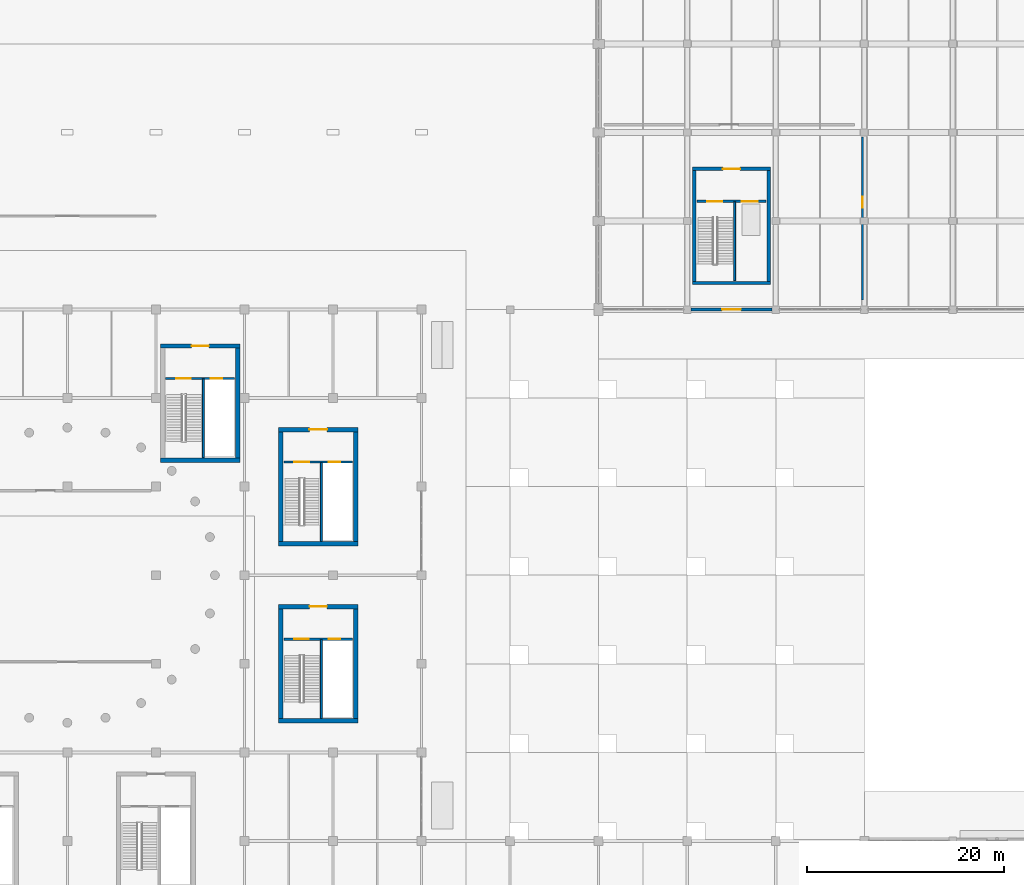
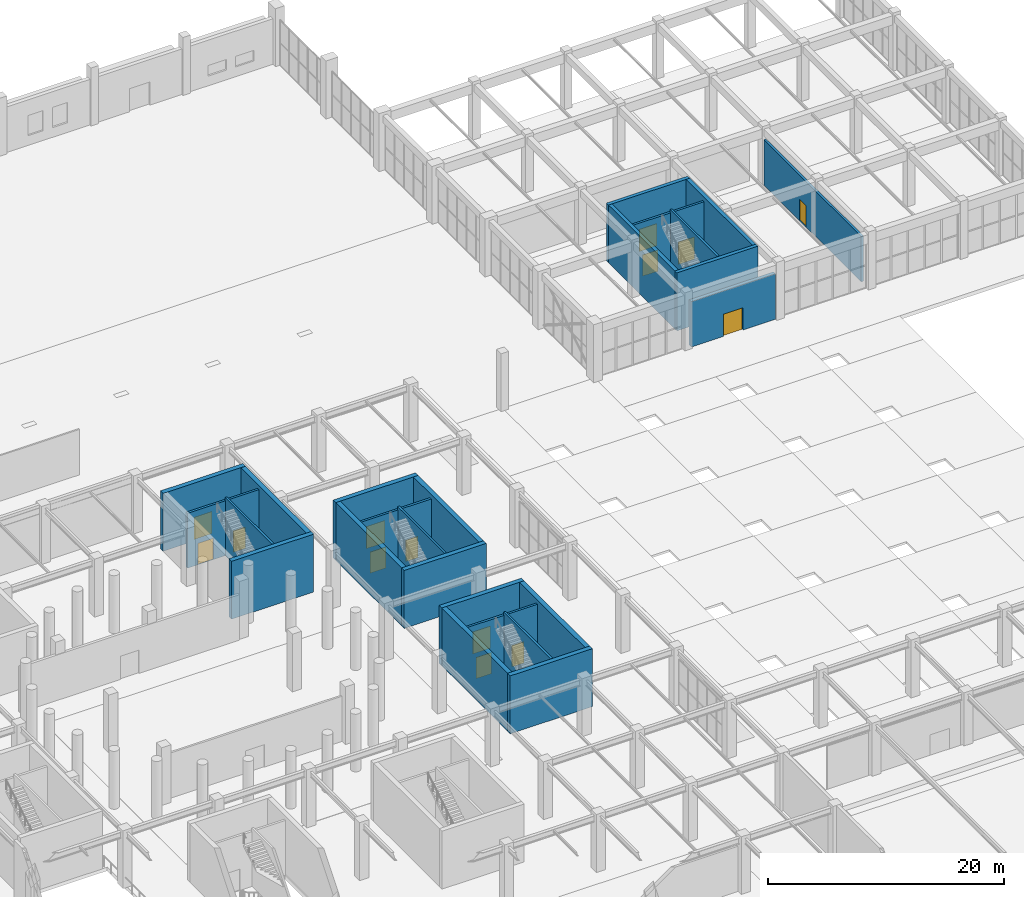
# One storey, part 66 of 91: 25 walls, 14 doors, 14 openings.
"""IFC4 building model written with IfcOpenShell, lengths in metres."""

from ifc_helpers import new_model, si_unit, direction, frame, frame_2d, origin, place, context, subcontext, project, spatial, rectangle, extrude, material, layer, layer_set, type_object, element, fill, save


model = new_model("IFC4")

# Units and contexts
model_context = context("Model", 3, precision=1e-05, world=origin(), true_north=direction((0.0, 1.0)))
body_context = subcontext(model_context, "Body", "Model", "MODEL_VIEW")
ifc_project = project(units=[si_unit("LENGTHUNIT", "METRE"), si_unit("AREAUNIT", "SQUARE_METRE"), si_unit("VOLUMEUNIT", "CUBIC_METRE"), si_unit("PLANEANGLEUNIT", "RADIAN"), si_unit("MASSUNIT", "GRAM", prefix="KILO")], contexts=[model_context])

# Site, building, storey
site_placement = place(None, origin())
site = spatial("IfcSite", under=ifc_project, at=site_placement, CompositionType="ELEMENT")
building_placement = place(site_placement, origin())
building = spatial("IfcBuilding", under=site, at=building_placement, Name="Dornveld Trade and Exhibition Forum", CompositionType="ELEMENT")
storey_placement = place(building_placement, origin())
storey = spatial("IfcBuildingStorey", under=building, at=storey_placement, Name="L00", CompositionType="ELEMENT", Elevation=0.0)

# Wall
ifc_material_1 = material(Name="Concrete C40/50", Category="concrete")
ifc_layer_1 = layer(ifc_material_1, 0.35009765625)
ifc_layer_set_1 = layer_set([ifc_layer_1], Name="Concrete C40/50")
wall_type_1 = type_object("IfcWallType", Name="WL-CORE-350", PredefinedType="SHEAR", material=ifc_layer_set_1)
wall_1_placement = place(storey_placement, frame((180.52490234375, 110.699951171875, 0.0), z_axis=(0.0, 0.0, 1.0), x_axis=(1.0, 0.0, 0.0)))
element("IfcWall", 1, at=wall_1_placement, inside=storey, type_object=wall_type_1, Name="CORE-12 L00 shear wall S", PredefinedType="SHEAR", context=body_context, shape_type="SweptSolid", body=[
    extrude(rectangle(XDim=7.9501953125, YDim=0.35009765625, at=frame_2d((3.97509765625, 0.0))), origin(), (0.0, 0.0, 1.0), 6.0),
])

# Wall, opening, door
wall_2_placement = place(storey_placement, frame((180.52490234375, 122.300048828125, 0.0), z_axis=(0.0, 0.0, 1.0), x_axis=(1.0, 0.0, 0.0)))
wall_2 = element("IfcWall", 2, at=wall_2_placement, inside=storey, type_object=wall_type_1, Name="CORE-12 L00 shear wall N", PredefinedType="SHEAR", context=body_context, shape_type="SweptSolid", body=[
    extrude(rectangle(XDim=7.9501953125, YDim=0.35009765625, at=frame_2d((3.97509765625, 0.0))), origin(), (0.0, 0.0, 1.0), 6.0),
])
opening_1_placement = place(wall_2_placement, frame((3.10009765625, 0.0, 0.0)))
opening_1 = element("IfcOpeningElement", 3, at=opening_1_placement, cuts=wall_2, Name="Opening CD-12-L00", PredefinedType="OPENING", context=body_context, shape_type="SweptSolid", body=[
    extrude(rectangle(XDim=1.75, YDim=2.300048828125, at=frame_2d((0.875, 1.14990234375))), frame((0.0, 0.18505859375, 0.0), z_axis=(0.0, -1.0, 0.0), x_axis=(1.0, 0.0, 0.0)), (0.0, 0.0, 1.0), 0.3701171875),
])
ifc_material_2 = material(Name="Steel fire-rated double door assembly", Category="steel")
door_type_1 = type_object("IfcDoorType", Name="DR-CORE-175x230", OperationType="NOTDEFINED", PredefinedType="DOOR", material=ifc_material_2)
door_1_placement = place(opening_1_placement, origin())
door_1 = element("IfcDoor", 4, at=door_1_placement, inside=storey, type_object=door_type_1, Name="CORE-12 L00 core lobby double fire door", OperationType="DOUBLE_DOOR_SINGLE_SWING", OverallHeight=2.300048828125, OverallWidth=1.75, PredefinedType="DOOR", context=body_context, shape_type="SweptSolid", body=[
    extrude(rectangle(XDim=1.75, YDim=2.300048828125, at=frame_2d((0.875, 1.14990234375))), frame((0.0, 0.02490234375, 0.0), z_axis=(0.0, -1.0, 0.0), x_axis=(1.0, 0.0, 0.0)), (0.0, 0.0, 1.0), 0.050048828125),
])
fill(opening_1, door_1)

# Walls
for number, where, z_axis, x_axis, name in (
    (5, (180.699951171875, 110.875, 0.0), (0.0, 0.0, 1.0), (0.0, 1.0, 0.0), "CORE-12 L00 shear wall W"),
    (6, (188.300048828125, 110.875, 0.0), (0.0, 0.0, 1.0), (0.0, 1.0, 0.0), "CORE-12 L00 shear wall E"),
):
    element("IfcWall", number, at=place(storey_placement, frame(where, z_axis=z_axis, x_axis=x_axis)), inside=storey, type_object=wall_type_1, Name=name, PredefinedType="SHEAR", context=body_context, shape_type="SweptSolid", body=[
        extrude(rectangle(XDim=11.25, YDim=0.35009765625, at=frame_2d((5.625, 0.0))), origin(), (0.0, 0.0, 1.0), 6.0),
    ])
ifc_material_3 = material(Name="Concrete C40/50", Category="concrete")
ifc_layer_2 = layer(ifc_material_3, 0.449951171875)
ifc_layer_set_2 = layer_set([ifc_layer_2], Name="Concrete C40/50")
wall_type_2 = type_object("IfcWallType", Name="WL-CORE-450", PredefinedType="SHEAR", material=ifc_layer_set_2)
wall_3_placement = place(storey_placement, frame((138.47509765625, 84.199951171875, 0.0), z_axis=(0.0, 0.0, 1.0), x_axis=(1.0, 0.0, 0.0)))
element("IfcWall", 7, at=wall_3_placement, inside=storey, type_object=wall_type_2, Name="CORE-01 L00 shear wall S", PredefinedType="SHEAR", context=body_context, shape_type="SweptSolid", body=[
    extrude(rectangle(XDim=8.0498046875, YDim=0.449951171875, at=frame_2d((4.02490234375, 0.0))), origin(), (0.0, 0.0, 1.0), 6.0),
])

# Wall, opening, door
wall_4_placement = place(storey_placement, frame((138.47509765625, 95.800048828125, 0.0), z_axis=(0.0, 0.0, 1.0), x_axis=(1.0, 0.0, 0.0)))
wall_4 = element("IfcWall", 8, at=wall_4_placement, inside=storey, type_object=wall_type_2, Name="CORE-01 L00 shear wall N", PredefinedType="SHEAR", context=body_context, shape_type="SweptSolid", body=[
    extrude(rectangle(XDim=8.0498046875, YDim=0.449951171875, at=frame_2d((4.02490234375, 0.0))), origin(), (0.0, 0.0, 1.0), 6.0),
])
opening_2_placement = place(wall_4_placement, frame((3.125, 0.0, 0.0)))
opening_2 = element("IfcOpeningElement", 9, at=opening_2_placement, cuts=wall_4, Name="Opening CD-01-L00", PredefinedType="OPENING", context=body_context, shape_type="SweptSolid", body=[
    extrude(rectangle(XDim=1.800048828125, YDim=2.300048828125, at=frame_2d((0.89990234375, 1.14990234375))), frame((0.0, 0.23486328125, 0.0), z_axis=(0.0, -1.0, 0.0), x_axis=(1.0, 0.0, 0.0)), (0.0, 0.0, 1.0), 0.469970703125),
])
ifc_material_4 = material(Name="Steel fire-rated double door assembly", Category="steel")
door_type_2 = type_object("IfcDoorType", Name="DR-CORE-180x230", OperationType="NOTDEFINED", PredefinedType="DOOR", material=ifc_material_4)
door_2_placement = place(opening_2_placement, origin())
door_2 = element("IfcDoor", 10, at=door_2_placement, inside=storey, type_object=door_type_2, Name="CORE-01 L00 core lobby double fire door", OperationType="DOUBLE_DOOR_SINGLE_SWING", OverallHeight=2.300048828125, OverallWidth=1.800048828125, PredefinedType="DOOR", context=body_context, shape_type="SweptSolid", body=[
    extrude(rectangle(XDim=1.800048828125, YDim=2.300048828125, at=frame_2d((0.89990234375, 1.14990234375))), frame((0.0, 0.02490234375, 0.0), z_axis=(0.0, -1.0, 0.0), x_axis=(1.0, 0.0, 0.0)), (0.0, 0.0, 1.0), 0.050048828125),
])
fill(opening_2, door_2)

# Walls
for number, where, z_axis, x_axis, name in (
    (11, (138.699951171875, 84.425048828125, 0.0), (0.0, 0.0, 1.0), (0.0, 1.0, 0.0), "CORE-01 L00 shear wall W"),
    (12, (146.300048828125, 84.425048828125, 0.0), (0.0, 0.0, 1.0), (0.0, 1.0, 0.0), "CORE-01 L00 shear wall E"),
):
    element("IfcWall", number, at=place(storey_placement, frame(where, z_axis=z_axis, x_axis=x_axis)), inside=storey, type_object=wall_type_2, Name=name, PredefinedType="SHEAR", context=body_context, shape_type="SweptSolid", body=[
        extrude(rectangle(XDim=11.14990234375, YDim=0.449951171875, at=frame_2d((5.574951171875, 0.0))), origin(), (0.0, 0.0, 1.0), 6.0),
    ])
wall_5_placement = place(storey_placement, frame((126.47509765625, 92.699951171875, 0.0), z_axis=(0.0, 0.0, 1.0), x_axis=(1.0, 0.0, 0.0)))
element("IfcWall", 13, at=wall_5_placement, inside=storey, type_object=wall_type_2, Name="CORE-02 L00 shear wall S", PredefinedType="SHEAR", context=body_context, shape_type="SweptSolid", body=[
    extrude(rectangle(XDim=8.0498046875, YDim=0.449951171875, at=frame_2d((4.02490234375, 0.0))), origin(), (0.0, 0.0, 1.0), 6.0),
])

# Wall, opening, door
wall_6_placement = place(storey_placement, frame((126.47509765625, 104.300048828125, 0.0), z_axis=(0.0, 0.0, 1.0), x_axis=(1.0, 0.0, 0.0)))
wall_6 = element("IfcWall", 14, at=wall_6_placement, inside=storey, type_object=wall_type_2, Name="CORE-02 L00 shear wall N", PredefinedType="SHEAR", context=body_context, shape_type="SweptSolid", body=[
    extrude(rectangle(XDim=8.0498046875, YDim=0.449951171875, at=frame_2d((4.02490234375, 0.0))), origin(), (0.0, 0.0, 1.0), 6.0),
])
opening_3_placement = place(wall_6_placement, frame((3.14990234375, 0.0, 0.0)))
opening_3 = element("IfcOpeningElement", 15, at=opening_3_placement, cuts=wall_6, Name="Opening CD-02-L00", PredefinedType="OPENING", context=body_context, shape_type="SweptSolid", body=[
    extrude(rectangle(XDim=1.75, YDim=2.300048828125, at=frame_2d((0.875, 1.14990234375))), frame((0.0, 0.23486328125, 0.0), z_axis=(0.0, -1.0, 0.0), x_axis=(1.0, 0.0, 0.0)), (0.0, 0.0, 1.0), 0.469970703125),
])
door_3_placement = place(opening_3_placement, origin())
door_3 = element("IfcDoor", 16, at=door_3_placement, inside=storey, type_object=door_type_1, Name="CORE-02 L00 core lobby double fire door", OperationType="DOUBLE_DOOR_SINGLE_SWING", OverallHeight=2.300048828125, OverallWidth=1.75, PredefinedType="DOOR", context=body_context, shape_type="SweptSolid", body=[
    extrude(rectangle(XDim=1.75, YDim=2.300048828125, at=frame_2d((0.875, 1.14990234375))), frame((0.0, 0.02490234375, 0.0), z_axis=(0.0, -1.0, 0.0), x_axis=(1.0, 0.0, 0.0)), (0.0, 0.0, 1.0), 0.050048828125),
])
fill(opening_3, door_3)

# Walls
wall_7_placement = place(storey_placement, frame((134.300048828125, 92.925048828125, 0.0), z_axis=(0.0, 0.0, 1.0), x_axis=(0.0, 1.0, 0.0)))
element("IfcWall", 17, at=wall_7_placement, inside=storey, type_object=wall_type_2, Name="CORE-02 L00 shear wall E", PredefinedType="SHEAR", context=body_context, shape_type="SweptSolid", body=[
    extrude(rectangle(XDim=11.14990234375, YDim=0.449951171875, at=frame_2d((5.574951171875, 0.0))), origin(), (0.0, 0.0, 1.0), 6.0),
])
wall_8_placement = place(storey_placement, frame((138.47509765625, 66.199951171875, 0.0), z_axis=(0.0, 0.0, 1.0), x_axis=(1.0, 0.0, 0.0)))
element("IfcWall", 18, at=wall_8_placement, inside=storey, type_object=wall_type_2, Name="CORE-08 L00 shear wall S", PredefinedType="SHEAR", context=body_context, shape_type="SweptSolid", body=[
    extrude(rectangle(XDim=8.0498046875, YDim=0.449951171875, at=frame_2d((4.02490234375, 0.0))), origin(), (0.0, 0.0, 1.0), 6.0),
])

# Wall, opening, door
wall_9_placement = place(storey_placement, frame((138.47509765625, 77.800048828125, 0.0), z_axis=(0.0, 0.0, 1.0), x_axis=(1.0, 0.0, 0.0)))
wall_9 = element("IfcWall", 19, at=wall_9_placement, inside=storey, type_object=wall_type_2, Name="CORE-08 L00 shear wall N", PredefinedType="SHEAR", context=body_context, shape_type="SweptSolid", body=[
    extrude(rectangle(XDim=8.0498046875, YDim=0.449951171875, at=frame_2d((4.02490234375, 0.0))), origin(), (0.0, 0.0, 1.0), 6.0),
])
opening_4_placement = place(wall_9_placement, frame((3.14990234375, 0.0, 0.0)))
opening_4 = element("IfcOpeningElement", 20, at=opening_4_placement, cuts=wall_9, Name="Opening CD-08-L00", PredefinedType="OPENING", context=body_context, shape_type="SweptSolid", body=[
    extrude(rectangle(XDim=1.75, YDim=2.300048828125, at=frame_2d((0.875, 1.14990234375))), frame((0.0, 0.23486328125, 0.0), z_axis=(0.0, -1.0, 0.0), x_axis=(1.0, 0.0, 0.0)), (0.0, 0.0, 1.0), 0.469970703125),
])
door_4_placement = place(opening_4_placement, origin())
door_4 = element("IfcDoor", 21, at=door_4_placement, inside=storey, type_object=door_type_1, Name="CORE-08 L00 core lobby double fire door", OperationType="DOUBLE_DOOR_SINGLE_SWING", OverallHeight=2.300048828125, OverallWidth=1.75, PredefinedType="DOOR", context=body_context, shape_type="SweptSolid", body=[
    extrude(rectangle(XDim=1.75, YDim=2.300048828125, at=frame_2d((0.875, 1.14990234375))), frame((0.0, 0.02490234375, 0.0), z_axis=(0.0, -1.0, 0.0), x_axis=(1.0, 0.0, 0.0)), (0.0, 0.0, 1.0), 0.050048828125),
])
fill(opening_4, door_4)

# Walls
for number, where, z_axis, x_axis, name in (
    (22, (138.699951171875, 66.425048828125, 0.0), (0.0, 0.0, 1.0), (0.0, 1.0, 0.0), "CORE-08 L00 shear wall W"),
    (23, (146.300048828125, 66.425048828125, 0.0), (0.0, 0.0, 1.0), (0.0, 1.0, 0.0), "CORE-08 L00 shear wall E"),
):
    element("IfcWall", number, at=place(storey_placement, frame(where, z_axis=z_axis, x_axis=x_axis)), inside=storey, type_object=wall_type_2, Name=name, PredefinedType="SHEAR", context=body_context, shape_type="SweptSolid", body=[
        extrude(rectangle(XDim=11.14990234375, YDim=0.449951171875, at=frame_2d((5.574951171875, 0.0))), origin(), (0.0, 0.0, 1.0), 6.0),
    ])

# Wall, opening, door
ifc_material_5 = material(Name="Precast concrete C50/60", Category="concrete")
ifc_layer_3 = layer(ifc_material_5, 0.340087890625)
ifc_layer_set_3 = layer_set([ifc_layer_3], Name="Precast concrete C50/60")
wall_type_3 = type_object("IfcWallType", Name="WL-EXT-PC340", PredefinedType="SOLIDWALL", material=ifc_layer_set_3)
wall_10_placement = place(storey_placement, frame((180.37451171875, 108.0, 0.0), z_axis=(0.0, 0.0, 1.0), x_axis=(1.0, 0.0, 0.0)))
wall_10 = element("IfcWall", 24, at=wall_10_placement, inside=storey, type_object=wall_type_3, Name="L00 precast facade wall 8", PredefinedType="SOLIDWALL", context=body_context, shape_type="SweptSolid", body=[
    extrude(rectangle(XDim=8.2509765625, YDim=0.340087890625, at=frame_2d((4.12548828125, 0.0))), origin(), (0.0, 0.0, 1.0), 4.719970703125),
])
opening_5_placement = place(wall_10_placement, frame((3.175537109375, 0.0, 0.0)))
opening_5 = element("IfcOpeningElement", 25, at=opening_5_placement, cuts=wall_10, Name="Opening ED-04", PredefinedType="OPENING", context=body_context, shape_type="SweptSolid", body=[
    extrude(rectangle(XDim=1.89990234375, YDim=2.300048828125, at=frame_2d((0.949951171875, 1.14990234375))), frame((0.0, 0.179931640625, 0.0), z_axis=(0.0, -1.0, 0.0), x_axis=(1.0, 0.0, 0.0)), (0.0, 0.0, 1.0), 0.360107421875),
])
ifc_material_6 = material(Name="Dark-bronze anodised aluminium and laminated safety glass", Category="aluminium")
door_type_3 = type_object("IfcDoorType", Name="DR-EXT-190x230", OperationType="NOTDEFINED", PredefinedType="DOOR", material=ifc_material_6)
door_5_placement = place(opening_5_placement, frame((1.89990234375, 0.0, 0.0), z_axis=(0.0, 0.0, 1.0), x_axis=(-1.0, 0.0, 0.0)))
door_5 = element("IfcDoor", 26, at=door_5_placement, inside=storey, type_object=door_type_3, Name="Ground final exit double door 4", OperationType="DOUBLE_DOOR_SINGLE_SWING", OverallHeight=2.300048828125, OverallWidth=1.89990234375, PredefinedType="DOOR", context=body_context, shape_type="SweptSolid", body=[
    extrude(rectangle(XDim=1.89990234375, YDim=2.300048828125, at=frame_2d((0.949951171875, 1.14990234375))), frame((0.0, 0.02490234375, 0.0), z_axis=(0.0, -1.0, 0.0), x_axis=(1.0, 0.0, 0.0)), (0.0, 0.0, 1.0), 0.050048828125),
])
fill(opening_5, door_5)

ifc_material_7 = material(Name="Acoustic twin-stud gypsum and mineral wool", Category="gypsum")
ifc_layer_4 = layer(ifc_material_7, 0.215087890625)
ifc_layer_set_4 = layer_set([ifc_layer_4], Name="Acoustic twin-stud gypsum and mineral wool")
wall_type_4 = type_object("IfcWallType", Name="WL-INT-AC215", PredefinedType="PARTITIONING", material=ifc_layer_set_4)
wall_11_placement = place(storey_placement, frame((197.800048828125, 108.97998046875, 0.0), z_axis=(0.0, 0.0, 1.0), x_axis=(0.0, 1.0, 0.0)))
wall_11 = element("IfcWall", 27, at=wall_11_placement, inside=storey, type_object=wall_type_4, Name="L00 interior partition 40", PredefinedType="PARTITIONING", context=body_context, shape_type="SweptSolid", body=[
    extrude(rectangle(XDim=16.5400390625, YDim=0.215087890625, at=frame_2d((8.27001953125, 0.0))), origin(), (0.0, 0.0, 1.0), 4.699951171875),
])
opening_6_placement = place(wall_11_placement, frame((9.34912109375, 0.0, 0.0)))
opening_6 = element("IfcOpeningElement", 28, at=opening_6_placement, cuts=wall_11, Name="Opening OD-01-028", PredefinedType="OPENING", context=body_context, shape_type="SweptSolid", body=[
    extrude(rectangle(XDim=1.14990234375, YDim=2.199951171875, at=frame_2d((0.574951171875, 1.10009765625))), frame((0.0, 0.117431640625, 0.0), z_axis=(0.0, -1.0, 0.0), x_axis=(1.0, 0.0, 0.0)), (0.0, 0.0, 1.0), 0.235107421875),
])
ifc_material_8 = material(Name="Solid-core hardwood office door", Category="wood")
door_type_4 = type_object("IfcDoorType", Name="DR-OFF-115x220", OperationType="NOTDEFINED", PredefinedType="DOOR", material=ifc_material_8)
door_6_placement = place(opening_6_placement, origin())
door_6 = element("IfcDoor", 29, at=door_6_placement, inside=storey, type_object=door_type_4, Name="L00 interior room door 28", OperationType="SINGLE_SWING_RIGHT", OverallHeight=2.199951171875, OverallWidth=1.14990234375, PredefinedType="DOOR", context=body_context, shape_type="SweptSolid", body=[
    extrude(rectangle(XDim=1.14990234375, YDim=2.199951171875, at=frame_2d((0.574951171875, 1.10009765625))), frame((0.0, 0.02490234375, 0.0), z_axis=(0.0, -1.0, 0.0), x_axis=(1.0, 0.0, 0.0)), (0.0, 0.0, 1.0), 0.050048828125),
])
fill(opening_6, door_6)

# Wall, openings, doors
ifc_material_9 = material(Name="Concrete C40/50", Category="concrete")
ifc_layer_5 = layer(ifc_material_9, 0.219970703125)
ifc_layer_set_5 = layer_set([ifc_layer_5], Name="Concrete C40/50")
wall_type_5 = type_object("IfcWallType", Name="WL-INT-LOB220", PredefinedType="SOLIDWALL", material=ifc_layer_set_5)
wall_12_placement = place(storey_placement, frame((139.0, 92.5, 0.0), z_axis=(0.0, 0.0, 1.0), x_axis=(1.0, 0.0, 0.0)))
wall_12 = element("IfcWall", 30, at=wall_12_placement, inside=storey, type_object=wall_type_5, Name="CORE-01 L00 protected lobby bulkhead wall", PredefinedType="SOLIDWALL", context=body_context, shape_type="SweptSolid", body=[
    extrude(rectangle(XDim=7.0, YDim=0.219970703125, at=frame_2d((3.5, 0.0))), origin(), (0.0, 0.0, 1.0), 5.679931640625),
])
opening_7_placement = place(wall_12_placement, frame((1.050048828125, 0.0, 0.0)))
opening_7 = element("IfcOpeningElement", 31, at=opening_7_placement, cuts=wall_12, Name="Opening SD-01-L00", PredefinedType="OPENING", context=body_context, shape_type="SweptSolid", body=[
    extrude(rectangle(XDim=1.550048828125, YDim=2.199951171875, at=frame_2d((0.77490234375, 1.10009765625))), frame((0.0, 0.119873046875, 0.0), z_axis=(0.0, -1.0, 0.0), x_axis=(1.0, 0.0, 0.0)), (0.0, 0.0, 1.0), 0.239990234375),
])
opening_8_placement = place(wall_12_placement, frame((4.550048828125, 0.0, 0.0)))
opening_8 = element("IfcOpeningElement", 32, at=opening_8_placement, cuts=wall_12, Name="Opening LD-01-L00", PredefinedType="OPENING", context=body_context, shape_type="SweptSolid", body=[
    extrude(rectangle(XDim=1.199951171875, YDim=2.199951171875, at=frame_2d((0.60009765625, 1.10009765625))), frame((0.0, 0.119873046875, 0.0), z_axis=(0.0, -1.0, 0.0), x_axis=(1.0, 0.0, 0.0)), (0.0, 0.0, 1.0), 0.239990234375),
])
ifc_material_10 = material(Name="Brushed stainless steel sliding lift landing door", Category="steel")
door_type_5 = type_object("IfcDoorType", Name="DR-LIFT-120x220", OperationType="NOTDEFINED", PredefinedType="DOOR", material=ifc_material_10)
door_7_placement = place(opening_8_placement, origin())
door_7 = element("IfcDoor", 33, at=door_7_placement, inside=storey, type_object=door_type_5, Name="CORE-01 L00 lift sliding landing door", OperationType="SLIDING_TO_LEFT", OverallHeight=2.199951171875, OverallWidth=1.199951171875, PredefinedType="DOOR", context=body_context, shape_type="SweptSolid", body=[
    extrude(rectangle(XDim=1.199951171875, YDim=2.199951171875, at=frame_2d((0.60009765625, 1.10009765625))), frame((0.0, 0.02490234375, 0.0), z_axis=(0.0, -1.0, 0.0), x_axis=(1.0, 0.0, 0.0)), (0.0, 0.0, 1.0), 0.050048828125),
])
fill(opening_8, door_7)
ifc_material_11 = material(Name="Steel fire-rated stair door assembly", Category="steel")
door_type_6 = type_object("IfcDoorType", Name="DR-STAIR-155x220", OperationType="NOTDEFINED", PredefinedType="DOOR", material=ifc_material_11)
door_8_placement = place(opening_7_placement, origin())
door_8 = element("IfcDoor", 34, at=door_8_placement, inside=storey, type_object=door_type_6, Name="CORE-01 L00 protected stair door", OperationType="SINGLE_SWING_LEFT", OverallHeight=2.199951171875, OverallWidth=1.550048828125, PredefinedType="DOOR", context=body_context, shape_type="SweptSolid", body=[
    extrude(rectangle(XDim=1.550048828125, YDim=2.199951171875, at=frame_2d((0.77490234375, 1.10009765625))), frame((0.0, 0.02490234375, 0.0), z_axis=(0.0, -1.0, 0.0), x_axis=(1.0, 0.0, 0.0)), (0.0, 0.0, 1.0), 0.050048828125),
])
fill(opening_7, door_8)

wall_13_placement = place(storey_placement, frame((127.0, 101.0, 0.0), z_axis=(0.0, 0.0, 1.0), x_axis=(1.0, 0.0, 0.0)))
wall_13 = element("IfcWall", 35, at=wall_13_placement, inside=storey, type_object=wall_type_5, Name="CORE-02 L00 protected lobby bulkhead wall", PredefinedType="SOLIDWALL", context=body_context, shape_type="SweptSolid", body=[
    extrude(rectangle(XDim=7.0, YDim=0.219970703125, at=frame_2d((3.5, 0.0))), origin(), (0.0, 0.0, 1.0), 5.679931640625),
])
opening_9_placement = place(wall_13_placement, frame((1.050048828125, 0.0, 0.0)))
opening_9 = element("IfcOpeningElement", 36, at=opening_9_placement, cuts=wall_13, Name="Opening SD-02-L00", PredefinedType="OPENING", context=body_context, shape_type="SweptSolid", body=[
    extrude(rectangle(XDim=1.5, YDim=2.199951171875, at=frame_2d((0.75, 1.10009765625))), frame((0.0, 0.119873046875, 0.0), z_axis=(0.0, -1.0, 0.0), x_axis=(1.0, 0.0, 0.0)), (0.0, 0.0, 1.0), 0.239990234375),
])
opening_10_placement = place(wall_13_placement, frame((4.550048828125, 0.0, 0.0)))
opening_10 = element("IfcOpeningElement", 37, at=opening_10_placement, cuts=wall_13, Name="Opening LD-02-L00", PredefinedType="OPENING", context=body_context, shape_type="SweptSolid", body=[
    extrude(rectangle(XDim=1.199951171875, YDim=2.199951171875, at=frame_2d((0.60009765625, 1.10009765625))), frame((0.0, 0.119873046875, 0.0), z_axis=(0.0, -1.0, 0.0), x_axis=(1.0, 0.0, 0.0)), (0.0, 0.0, 1.0), 0.239990234375),
])
door_9_placement = place(opening_10_placement, origin())
door_9 = element("IfcDoor", 38, at=door_9_placement, inside=storey, type_object=door_type_5, Name="CORE-02 L00 lift sliding landing door", OperationType="SLIDING_TO_RIGHT", OverallHeight=2.199951171875, OverallWidth=1.199951171875, PredefinedType="DOOR", context=body_context, shape_type="SweptSolid", body=[
    extrude(rectangle(XDim=1.199951171875, YDim=2.199951171875, at=frame_2d((0.60009765625, 1.10009765625))), frame((0.0, 0.02490234375, 0.0), z_axis=(0.0, -1.0, 0.0), x_axis=(1.0, 0.0, 0.0)), (0.0, 0.0, 1.0), 0.050048828125),
])
fill(opening_10, door_9)
ifc_material_12 = material(Name="Steel fire-rated stair door assembly", Category="steel")
door_type_7 = type_object("IfcDoorType", Name="DR-STAIR-150x220", OperationType="NOTDEFINED", PredefinedType="DOOR", material=ifc_material_12)
door_10_placement = place(opening_9_placement, origin())
door_10 = element("IfcDoor", 39, at=door_10_placement, inside=storey, type_object=door_type_7, Name="CORE-02 L00 protected stair door", OperationType="SINGLE_SWING_RIGHT", OverallHeight=2.199951171875, OverallWidth=1.5, PredefinedType="DOOR", context=body_context, shape_type="SweptSolid", body=[
    extrude(rectangle(XDim=1.5, YDim=2.199951171875, at=frame_2d((0.75, 1.10009765625))), frame((0.0, 0.02490234375, 0.0), z_axis=(0.0, -1.0, 0.0), x_axis=(1.0, 0.0, 0.0)), (0.0, 0.0, 1.0), 0.050048828125),
])
fill(opening_9, door_10)

wall_14_placement = place(storey_placement, frame((139.0, 74.5, 0.0), z_axis=(0.0, 0.0, 1.0), x_axis=(1.0, 0.0, 0.0)))
wall_14 = element("IfcWall", 40, at=wall_14_placement, inside=storey, type_object=wall_type_5, Name="CORE-08 L00 protected lobby bulkhead wall", PredefinedType="SOLIDWALL", context=body_context, shape_type="SweptSolid", body=[
    extrude(rectangle(XDim=7.0, YDim=0.219970703125, at=frame_2d((3.5, 0.0))), origin(), (0.0, 0.0, 1.0), 5.679931640625),
])
opening_11_placement = place(wall_14_placement, frame((1.050048828125, 0.0, 0.0)))
opening_11 = element("IfcOpeningElement", 41, at=opening_11_placement, cuts=wall_14, Name="Opening SD-08-L00", PredefinedType="OPENING", context=body_context, shape_type="SweptSolid", body=[
    extrude(rectangle(XDim=1.5, YDim=2.199951171875, at=frame_2d((0.75, 1.10009765625))), frame((0.0, 0.119873046875, 0.0), z_axis=(0.0, -1.0, 0.0), x_axis=(1.0, 0.0, 0.0)), (0.0, 0.0, 1.0), 0.239990234375),
])
opening_12_placement = place(wall_14_placement, frame((4.550048828125, 0.0, 0.0)))
opening_12 = element("IfcOpeningElement", 42, at=opening_12_placement, cuts=wall_14, Name="Opening LD-08-L00", PredefinedType="OPENING", context=body_context, shape_type="SweptSolid", body=[
    extrude(rectangle(XDim=1.199951171875, YDim=2.199951171875, at=frame_2d((0.60009765625, 1.10009765625))), frame((0.0, 0.119873046875, 0.0), z_axis=(0.0, -1.0, 0.0), x_axis=(1.0, 0.0, 0.0)), (0.0, 0.0, 1.0), 0.239990234375),
])
door_11_placement = place(opening_12_placement, origin())
door_11 = element("IfcDoor", 43, at=door_11_placement, inside=storey, type_object=door_type_5, Name="CORE-08 L00 lift sliding landing door", OperationType="SLIDING_TO_RIGHT", OverallHeight=2.199951171875, OverallWidth=1.199951171875, PredefinedType="DOOR", context=body_context, shape_type="SweptSolid", body=[
    extrude(rectangle(XDim=1.199951171875, YDim=2.199951171875, at=frame_2d((0.60009765625, 1.10009765625))), frame((0.0, 0.02490234375, 0.0), z_axis=(0.0, -1.0, 0.0), x_axis=(1.0, 0.0, 0.0)), (0.0, 0.0, 1.0), 0.050048828125),
])
fill(opening_12, door_11)
door_12_placement = place(opening_11_placement, origin())
door_12 = element("IfcDoor", 44, at=door_12_placement, inside=storey, type_object=door_type_7, Name="CORE-08 L00 protected stair door", OperationType="SINGLE_SWING_RIGHT", OverallHeight=2.199951171875, OverallWidth=1.5, PredefinedType="DOOR", context=body_context, shape_type="SweptSolid", body=[
    extrude(rectangle(XDim=1.5, YDim=2.199951171875, at=frame_2d((0.75, 1.10009765625))), frame((0.0, 0.02490234375, 0.0), z_axis=(0.0, -1.0, 0.0), x_axis=(1.0, 0.0, 0.0)), (0.0, 0.0, 1.0), 0.050048828125),
])
fill(opening_11, door_12)

wall_15_placement = place(storey_placement, frame((181.0, 119.0, 0.0), z_axis=(0.0, 0.0, 1.0), x_axis=(1.0, 0.0, 0.0)))
wall_15 = element("IfcWall", 45, at=wall_15_placement, inside=storey, type_object=wall_type_5, Name="CORE-12 L00 protected lobby bulkhead wall", PredefinedType="SOLIDWALL", context=body_context, shape_type="SweptSolid", body=[
    extrude(rectangle(XDim=7.0, YDim=0.219970703125, at=frame_2d((3.5, 0.0))), origin(), (0.0, 0.0, 1.0), 5.679931640625),
])
opening_13_placement = place(wall_15_placement, frame((1.050048828125, 0.0, 0.0)))
opening_13 = element("IfcOpeningElement", 46, at=opening_13_placement, cuts=wall_15, Name="Opening SD-12-L00", PredefinedType="OPENING", context=body_context, shape_type="SweptSolid", body=[
    extrude(rectangle(XDim=1.5, YDim=2.199951171875, at=frame_2d((0.75, 1.10009765625))), frame((0.0, 0.119873046875, 0.0), z_axis=(0.0, -1.0, 0.0), x_axis=(1.0, 0.0, 0.0)), (0.0, 0.0, 1.0), 0.239990234375),
])
opening_14_placement = place(wall_15_placement, frame((4.550048828125, 0.0, 0.0)))
opening_14 = element("IfcOpeningElement", 47, at=opening_14_placement, cuts=wall_15, Name="Opening LD-12-L00", PredefinedType="OPENING", context=body_context, shape_type="SweptSolid", body=[
    extrude(rectangle(XDim=1.60009765625, YDim=2.300048828125, at=frame_2d((0.800048828125, 1.14990234375))), frame((0.0, 0.119873046875, 0.0), z_axis=(0.0, -1.0, 0.0), x_axis=(1.0, 0.0, 0.0)), (0.0, 0.0, 1.0), 0.239990234375),
])
ifc_material_13 = material(Name="Heavy-duty steel sliding freight lift landing door", Category="steel")
door_type_8 = type_object("IfcDoorType", Name="DR-LIFT-160x230", OperationType="NOTDEFINED", PredefinedType="DOOR", material=ifc_material_13)
door_13_placement = place(opening_14_placement, origin())
door_13 = element("IfcDoor", 48, at=door_13_placement, inside=storey, type_object=door_type_8, Name="CORE-12 L00 lift sliding landing door", OperationType="SLIDING_TO_RIGHT", OverallHeight=2.300048828125, OverallWidth=1.60009765625, PredefinedType="DOOR", context=body_context, shape_type="SweptSolid", body=[
    extrude(rectangle(XDim=1.60009765625, YDim=2.300048828125, at=frame_2d((0.800048828125, 1.14990234375))), frame((0.0, 0.02490234375, 0.0), z_axis=(0.0, -1.0, 0.0), x_axis=(1.0, 0.0, 0.0)), (0.0, 0.0, 1.0), 0.050048828125),
])
fill(opening_14, door_13)
door_14_placement = place(opening_13_placement, origin())
door_14 = element("IfcDoor", 49, at=door_14_placement, inside=storey, type_object=door_type_7, Name="CORE-12 L00 protected stair door", OperationType="SINGLE_SWING_RIGHT", OverallHeight=2.199951171875, OverallWidth=1.5, PredefinedType="DOOR", context=body_context, shape_type="SweptSolid", body=[
    extrude(rectangle(XDim=1.5, YDim=2.199951171875, at=frame_2d((0.75, 1.10009765625))), frame((0.0, 0.02490234375, 0.0), z_axis=(0.0, -1.0, 0.0), x_axis=(1.0, 0.0, 0.0)), (0.0, 0.0, 1.0), 0.050048828125),
])
fill(opening_13, door_14)

# Walls
ifc_material_14 = material(Name="Concrete C40/50", Category="concrete")
ifc_layer_6 = layer(ifc_material_14, 0.199951171875)
ifc_layer_set_6 = layer_set([ifc_layer_6], Name="Concrete C40/50")
wall_type_6 = type_object("IfcWallType", Name="WL-INT-SHAFT200", PredefinedType="SOLIDWALL", material=ifc_layer_set_6)
for number, where, z_axis, x_axis, name in (
    (50, (142.820068359375, 84.449951171875, 0.0), (0.0, 0.0, 1.0), (0.0, 1.0, 0.0), "CORE-01 L00 lift-stair structural shaft wall"),
    (51, (130.820068359375, 92.949951171875, 0.0), (0.0, 0.0, 1.0), (0.0, 1.0, 0.0), "CORE-02 L00 lift-stair structural shaft wall"),
    (52, (142.820068359375, 66.449951171875, 0.0), (0.0, 0.0, 1.0), (0.0, 1.0, 0.0), "CORE-08 L00 lift-stair structural shaft wall"),
    (53, (184.820068359375, 110.949951171875, 0.0), (0.0, 0.0, 1.0), (0.0, 1.0, 0.0), "CORE-12 L00 lift-stair structural shaft wall"),
):
    element("IfcWall", number, at=place(storey_placement, frame(where, z_axis=z_axis, x_axis=x_axis)), inside=storey, type_object=wall_type_6, Name=name, PredefinedType="SOLIDWALL", context=body_context, shape_type="SweptSolid", body=[
        extrude(rectangle(XDim=8.0, YDim=0.199951171875, at=frame_2d((4.0, 0.0))), origin(), (0.0, 0.0, 1.0), 6.0),
    ])

save(model, "model.ifc")
